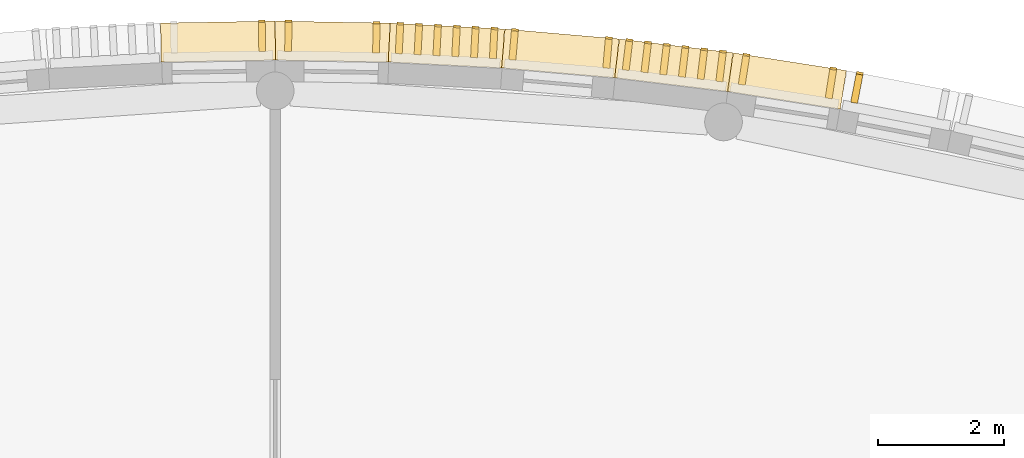
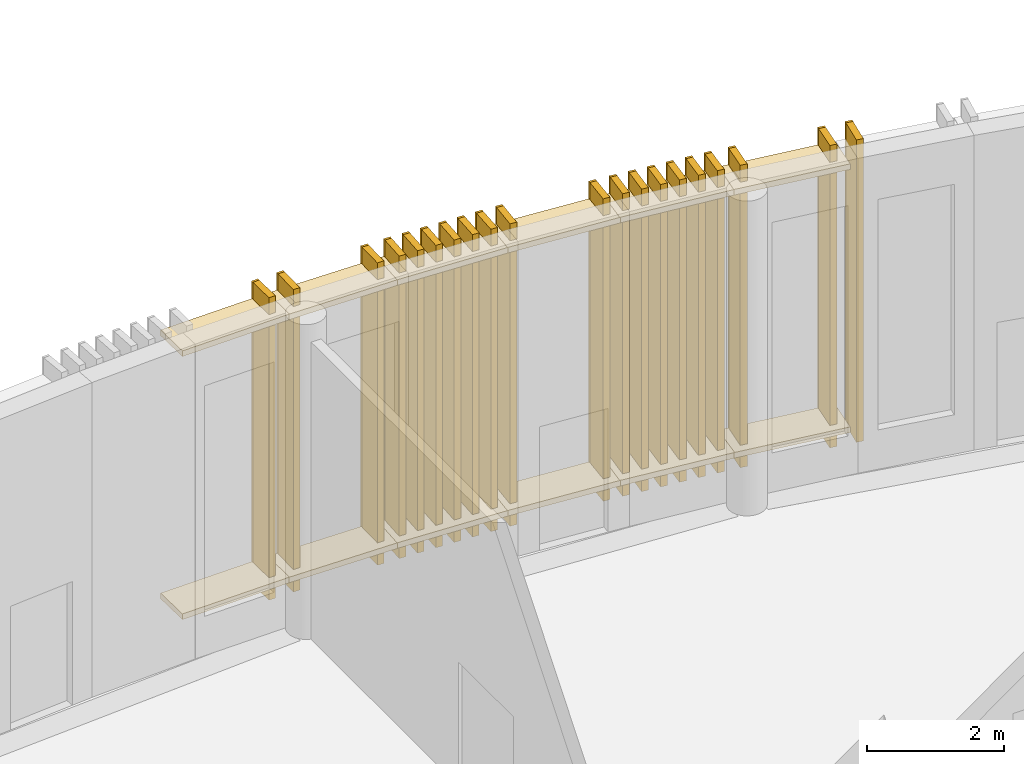
# One storey, part 77 of 85: 32 coverings, 20 shading devices.
"""IFC4 building model written with IfcOpenShell, lengths in metres."""

from ifc_helpers import new_model, si_unit, direction, frame, origin, origin_2d, place, context, subcontext, project, spatial, rectangle, extrude, material, layer, layer_set, type_object, element, save


model = new_model("IFC4")

# Units and contexts
model_context = context("Model", 3, precision=1e-05, world=origin(), true_north=direction((0.0, 1.0)))
body_context = subcontext(model_context, "Body", "Model", "MODEL_VIEW")
ifc_project = project(units=[si_unit("LENGTHUNIT", "METRE"), si_unit("AREAUNIT", "SQUARE_METRE"), si_unit("VOLUMEUNIT", "CUBIC_METRE"), si_unit("PLANEANGLEUNIT", "RADIAN"), si_unit("MASSUNIT", "GRAM", prefix="KILO")], contexts=[model_context])

# Site, building, storey
site_placement = place(None, origin())
site = spatial("IfcSite", under=ifc_project, at=site_placement, CompositionType="ELEMENT")
building_placement = place(site_placement, origin())
building = spatial("IfcBuilding", under=site, at=building_placement, Name="Sardonyx Promenade Sports Hall", CompositionType="ELEMENT")
storey_placement = place(building_placement, origin())
storey = spatial("IfcBuildingStorey", under=building, at=storey_placement, Name="L00", CompositionType="ELEMENT", Elevation=0.0)

# Coverings
ifc_material_1 = material(Name="Glulam GL28h", Category="wood")
ifc_layer = layer(ifc_material_1, 0.110107421875)
ifc_layer_set = layer_set([ifc_layer], Name="Cov_Louvre_GL28h")
covering_type = type_object("IfcCoveringType", Name="Cov_Louvre_GL28h", PredefinedType="MOLDING", material=ifc_layer_set)
for number, where, z_axis, x_axis, name in (
    (1, (53.091796875, 115.664306640625, 0.5), (0.0, 0.0, 1.0), (0.999850212862, 0.01730756599, 0.0), "Bowed louvre carrier rail L00 CH14 #1"),
    (2, (53.091796875, 115.664306640625, 5.179931640625), (0.0, 0.0, 1.0), (0.999850212862, 0.01730756599, 0.0), "Bowed louvre carrier rail L00 CH14 #2"),
):
    element("IfcCovering", number, at=place(storey_placement, frame(where, z_axis=z_axis, x_axis=x_axis)), inside=storey, type_object=covering_type, Name=name, PredefinedType="MOLDING", context=body_context, shape_type="SweptSolid", body=[
        extrude(rectangle(XDim=1.820068359375, YDim=0.6201171875, at=origin_2d()), origin(), (0.0, 0.0, 1.0), 0.10009765625),
    ])
covering_placement = place(storey_placement, frame((53.786376953125, 115.986328125, 0.199951171875), z_axis=(0.0, 0.0, 1.0), x_axis=(0.999850212862, 0.01730756599, 0.0)))
element("IfcCovering", 3, at=covering_placement, inside=storey, type_object=covering_type, Name="Timber louvre nose molding L00 CH14 #2", PredefinedType="MOLDING", context=body_context, shape_type="SweptSolid", body=[
    extrude(rectangle(XDim=0.110107421875, YDim=0.0400390625, at=origin_2d()), origin(), (0.0, 0.0, 1.0), 5.3798828125),
])
for number, where, z_axis, x_axis, name in (
    (4, (54.908203125, 115.664306640625, 0.5), (0.0, 0.0, 1.0), (0.999850212862, -0.01730756599, 0.0), "Bowed louvre carrier rail L00 CH15 #1"),
    (5, (54.908203125, 115.664306640625, 5.179931640625), (0.0, 0.0, 1.0), (0.999850212862, -0.01730756599, 0.0), "Bowed louvre carrier rail L00 CH15 #2"),
):
    element("IfcCovering", number, at=place(storey_placement, frame(where, z_axis=z_axis, x_axis=x_axis)), inside=storey, type_object=covering_type, Name=name, PredefinedType="MOLDING", context=body_context, shape_type="SweptSolid", body=[
        extrude(rectangle(XDim=1.820068359375, YDim=0.6201171875, at=origin_2d()), origin(), (0.0, 0.0, 1.0), 0.10009765625),
    ])
for number, where, z_axis, x_axis, name in (
    (6, (54.213623046875, 115.986328125, 0.199951171875), (0.0, 0.0, 1.0), (0.999850212862, -0.01730756599, 0.0), "Timber louvre nose molding L00 CH15 #1"),
    (7, (55.613525390625, 115.962158203125, 0.199951171875), (0.0, 0.0, 1.0), (0.999850212862, -0.01730756599, 0.0), "Timber louvre nose molding L00 CH15 #2"),
):
    element("IfcCovering", number, at=place(storey_placement, frame(where, z_axis=z_axis, x_axis=x_axis)), inside=storey, type_object=covering_type, Name=name, PredefinedType="MOLDING", context=body_context, shape_type="SweptSolid", body=[
        extrude(rectangle(XDim=0.110107421875, YDim=0.0400390625, at=origin_2d()), origin(), (0.0, 0.0, 1.0), 5.3798828125),
    ])
for number, where, z_axis, x_axis, name in (
    (8, (56.723388671875, 115.6015625, 0.5), (0.0, 0.0, 1.0), (0.998652184976, -0.051901959917, 0.0), "Bowed louvre carrier rail L00 CH16 #1"),
    (9, (56.723388671875, 115.6015625, 5.179931640625), (0.0, 0.0, 1.0), (0.998652184976, -0.051901959917, 0.0), "Bowed louvre carrier rail L00 CH16 #2"),
):
    element("IfcCovering", number, at=place(storey_placement, frame(where, z_axis=z_axis, x_axis=x_axis)), inside=storey, type_object=covering_type, Name=name, PredefinedType="MOLDING", context=body_context, shape_type="SweptSolid", body=[
        extrude(rectangle(XDim=1.820068359375, YDim=0.6201171875, at=origin_2d()), origin(), (0.0, 0.0, 1.0), 0.10009765625),
    ])
for number, where, z_axis, x_axis, name in (
    (10, (55.990478515625, 115.949951171875, 0.199951171875), (0.0, 0.0, 1.0), (0.998652184976, -0.051901959917, 0.0), "Timber louvre nose molding L00 CH16 #1"),
    (11, (56.2900390625, 115.934326171875, 0.199951171875), (0.0, 0.0, 1.0), (0.998652184976, -0.051901959917, 0.0), "Timber louvre nose molding L00 CH16 #2"),
    (12, (56.58984375, 115.9189453125, 0.199951171875), (0.0, 0.0, 1.0), (0.998652184976, -0.051901959917, 0.0), "Timber louvre nose molding L00 CH16 #3"),
    (13, (56.889404296875, 115.9033203125, 0.199951171875), (0.0, 0.0, 1.0), (0.998652184976, -0.051901959917, 0.0), "Timber louvre nose molding L00 CH16 #4"),
    (14, (57.18896484375, 115.8876953125, 0.199951171875), (0.0, 0.0, 1.0), (0.998652184976, -0.051901959917, 0.0), "Timber louvre nose molding L00 CH16 #5"),
    (15, (57.488525390625, 115.8720703125, 0.199951171875), (0.0, 0.0, 1.0), (0.998652184976, -0.051901959917, 0.0), "Timber louvre nose molding L00 CH16 #6"),
):
    element("IfcCovering", number, at=place(storey_placement, frame(where, z_axis=z_axis, x_axis=x_axis)), inside=storey, type_object=covering_type, Name=name, PredefinedType="MOLDING", context=body_context, shape_type="SweptSolid", body=[
        extrude(rectangle(XDim=0.110107421875, YDim=0.0400390625, at=origin_2d()), origin(), (0.0, 0.0, 1.0), 5.3798828125),
    ])
for number, where, z_axis, x_axis, name in (
    (16, (58.535400390625, 115.475830078125, 0.5), (0.0, 0.0, 1.0), (0.99625756469, -0.086434164533, 0.0), "Bowed louvre carrier rail L00 CH17 #1"),
    (17, (58.535400390625, 115.475830078125, 5.179931640625), (0.0, 0.0, 1.0), (0.99625756469, -0.086434164533, 0.0), "Bowed louvre carrier rail L00 CH17 #2"),
):
    element("IfcCovering", number, at=place(storey_placement, frame(where, z_axis=z_axis, x_axis=x_axis)), inside=storey, type_object=covering_type, Name=name, PredefinedType="MOLDING", context=body_context, shape_type="SweptSolid", body=[
        extrude(rectangle(XDim=1.820068359375, YDim=0.6201171875, at=origin_2d()), origin(), (0.0, 0.0, 1.0), 0.10009765625),
    ])
for number, where, z_axis, x_axis, name in (
    (18, (57.81494140625, 115.849609375, 0.199951171875), (0.0, 0.0, 1.0), (0.99625756469, -0.086434164533, 0.0), "Timber louvre nose molding L00 CH17 #1"),
    (19, (59.309326171875, 115.7197265625, 0.199951171875), (0.0, 0.0, 1.0), (0.99625756469, -0.086434164533, 0.0), "Timber louvre nose molding L00 CH17 #6"),
):
    element("IfcCovering", number, at=place(storey_placement, frame(where, z_axis=z_axis, x_axis=x_axis)), inside=storey, type_object=covering_type, Name=name, PredefinedType="MOLDING", context=body_context, shape_type="SweptSolid", body=[
        extrude(rectangle(XDim=0.110107421875, YDim=0.0400390625, at=origin_2d()), origin(), (0.0, 0.0, 1.0), 5.3798828125),
    ])
for number, where, z_axis, x_axis, name in (
    (20, (60.342041015625, 115.28759765625, 0.5), (0.0, 0.0, 1.0), (0.992669221255, -0.120862803098, 0.0), "Bowed louvre carrier rail L00 CH18 #1"),
    (21, (60.342041015625, 115.28759765625, 5.179931640625), (0.0, 0.0, 1.0), (0.992669221255, -0.120862803098, 0.0), "Bowed louvre carrier rail L00 CH18 #2"),
):
    element("IfcCovering", number, at=place(storey_placement, frame(where, z_axis=z_axis, x_axis=x_axis)), inside=storey, type_object=covering_type, Name=name, PredefinedType="MOLDING", context=body_context, shape_type="SweptSolid", body=[
        extrude(rectangle(XDim=1.820068359375, YDim=0.6201171875, at=origin_2d()), origin(), (0.0, 0.0, 1.0), 0.10009765625),
    ])
for number, where, z_axis, x_axis, name in (
    (22, (59.635009765625, 115.68603515625, 0.199951171875), (0.0, 0.0, 1.0), (0.992669221255, -0.120862803098, 0.0), "Timber louvre nose molding L00 CH18 #1"),
    (23, (59.932861328125, 115.649658203125, 0.199951171875), (0.0, 0.0, 1.0), (0.992669221255, -0.120862803098, 0.0), "Timber louvre nose molding L00 CH18 #2"),
    (24, (60.23046875, 115.61328125, 0.199951171875), (0.0, 0.0, 1.0), (0.992669221255, -0.120862803098, 0.0), "Timber louvre nose molding L00 CH18 #3"),
    (25, (60.5283203125, 115.5771484375, 0.199951171875), (0.0, 0.0, 1.0), (0.992669221255, -0.120862803098, 0.0), "Timber louvre nose molding L00 CH18 #4"),
    (26, (60.826171875, 115.540771484375, 0.199951171875), (0.0, 0.0, 1.0), (0.992669221255, -0.120862803098, 0.0), "Timber louvre nose molding L00 CH18 #5"),
    (27, (61.1240234375, 115.504638671875, 0.199951171875), (0.0, 0.0, 1.0), (0.992669221255, -0.120862803098, 0.0), "Timber louvre nose molding L00 CH18 #6"),
):
    element("IfcCovering", number, at=place(storey_placement, frame(where, z_axis=z_axis, x_axis=x_axis)), inside=storey, type_object=covering_type, Name=name, PredefinedType="MOLDING", context=body_context, shape_type="SweptSolid", body=[
        extrude(rectangle(XDim=0.110107421875, YDim=0.0400390625, at=origin_2d()), origin(), (0.0, 0.0, 1.0), 5.3798828125),
    ])
for number, where, z_axis, x_axis, name in (
    (28, (62.140869140625, 115.036865234375, 0.5), (0.0, 0.0, 1.0), (0.987891183468, -0.155148347157, 0.0), "Bowed louvre carrier rail L00 CH19 #1"),
    (29, (62.140869140625, 115.036865234375, 5.179931640625), (0.0, 0.0, 1.0), (0.987891183468, -0.155148347157, 0.0), "Bowed louvre carrier rail L00 CH19 #2"),
):
    element("IfcCovering", number, at=place(storey_placement, frame(where, z_axis=z_axis, x_axis=x_axis)), inside=storey, type_object=covering_type, Name=name, PredefinedType="MOLDING", context=body_context, shape_type="SweptSolid", body=[
        extrude(rectangle(XDim=1.820068359375, YDim=0.6201171875, at=origin_2d()), origin(), (0.0, 0.0, 1.0), 0.10009765625),
    ])
for number, where, z_axis, x_axis, name in (
    (30, (61.49755859375, 115.45166015625, 0.199951171875), (0.0, 0.0, 1.0), (0.987891183468, -0.155148347157, 0.0), "Timber louvre nose molding L00 CH19 #1"),
    (31, (62.880615234375, 115.234375, 0.199951171875), (0.0, 0.0, 1.0), (0.987891183468, -0.155148347157, 0.0), "Timber louvre nose molding L00 CH19 #2"),
    (32, (63.301513671875, 115.160888671875, 0.199951171875), (0.0, 0.0, 1.0), (0.981929658139, -0.18924625879, 0.0), "Timber louvre nose molding L00 CH20 #1"),
):
    element("IfcCovering", number, at=place(storey_placement, frame(where, z_axis=z_axis, x_axis=x_axis)), inside=storey, type_object=covering_type, Name=name, PredefinedType="MOLDING", context=body_context, shape_type="SweptSolid", body=[
        extrude(rectangle(XDim=0.110107421875, YDim=0.0400390625, at=origin_2d()), origin(), (0.0, 0.0, 1.0), 5.3798828125),
    ])

# Shading devices
ifc_material_2 = material(Name="Glulam GL28h", Category="wood")
shading_device_type_1 = type_object("IfcShadingDeviceType", Name="Shade_Fin_GL28h", PredefinedType="USERDEFINED", material=ifc_material_2)
for number, where, z_axis, x_axis, name in (
    (33, (53.790684, 115.736458, 0.2), (0.0, 0.0, 1.0), (0.99985021, 0.01730757, 0.0), "Timber fin TF01 L00 CH14 #2"),
    (34, (54.209316, 115.736458, 0.2), (0.0, 0.0, 1.0), (0.99985021, -0.01730757, 0.0), "Timber fin TF01 L00 CH15 #1"),
    (35, (55.609107, 115.712227, 0.2), (0.0, 0.0, 1.0), (0.99985021, -0.01730757, 0.0), "Timber fin TF01 L00 CH15 #2"),
    (36, (61.45873, 115.204717, 0.2), (0.0, 0.0, 1.0), (0.98789118, -0.15514835, 0.0), "Timber fin TF01 L00 CH19 #1"),
    (37, (62.841778, 114.98751, 0.2), (0.0, 0.0, 1.0), (0.98789118, -0.15514835, 0.0), "Timber fin TF01 L00 CH19 #2"),
    (38, (63.254156, 114.915412, 0.2), (0.0, 0.0, 1.0), (0.98192966, -0.18924626, 0.0), "Timber fin TF01 L00 CH20 #1"),
):
    element("IfcShadingDevice", number, at=place(storey_placement, frame(where, z_axis=z_axis, x_axis=x_axis)), inside=storey, type_object=shading_device_type_1, material=ifc_material_2, Name=name, ObjectType="FIN", PredefinedType="USERDEFINED", context=body_context, shape_type="SweptSolid", body=[
        extrude(rectangle(XDim=0.11, YDim=0.46), origin(), (0.0, 0.0, 1.0), 5.38),
    ])
shading_device_type_2 = type_object("IfcShadingDeviceType", Name="Shade_Louvre_GL28h", PredefinedType="USERDEFINED", material=ifc_material_2)
for number, where, z_axis, x_axis, name in (
    (39, (55.977555, 115.700333, 0.2), (0.0, 0.0, 1.0), (0.99865218, -0.05190196, 0.0), "Timber louvre TL01 L00 CH16 #1"),
    (40, (56.277151, 115.684762, 0.2), (0.0, 0.0, 1.0), (0.99865218, -0.05190196, 0.0), "Timber louvre TL01 L00 CH16 #2"),
    (41, (56.576746, 115.669192, 0.2), (0.0, 0.0, 1.0), (0.99865218, -0.05190196, 0.0), "Timber louvre TL01 L00 CH16 #3"),
    (42, (56.876342, 115.653621, 0.2), (0.0, 0.0, 1.0), (0.99865218, -0.05190196, 0.0), "Timber louvre TL01 L00 CH16 #4"),
    (43, (57.175938, 115.63805, 0.2), (0.0, 0.0, 1.0), (0.99865218, -0.05190196, 0.0), "Timber louvre TL01 L00 CH16 #5"),
    (44, (57.475533, 115.62248, 0.2), (0.0, 0.0, 1.0), (0.99865218, -0.05190196, 0.0), "Timber louvre TL01 L00 CH16 #6"),
    (45, (57.793418, 115.600436, 0.2), (0.0, 0.0, 1.0), (0.99625756, -0.08643416, 0.0), "Timber louvre TL01 L00 CH17 #1"),
    (46, (59.287804, 115.470783, 0.2), (0.0, 0.0, 1.0), (0.99625756, -0.08643416, 0.0), "Timber louvre TL01 L00 CH17 #6"),
    (47, (59.604735, 115.437751, 0.2), (0.0, 0.0, 1.0), (0.99266922, -0.1208628, 0.0), "Timber louvre TL01 L00 CH18 #1"),
    (48, (59.902535, 115.401492, 0.2), (0.0, 0.0, 1.0), (0.99266922, -0.1208628, 0.0), "Timber louvre TL01 L00 CH18 #2"),
    (49, (60.200336, 115.365233, 0.2), (0.0, 0.0, 1.0), (0.99266922, -0.1208628, 0.0), "Timber louvre TL01 L00 CH18 #3"),
    (50, (60.498137, 115.328974, 0.2), (0.0, 0.0, 1.0), (0.99266922, -0.1208628, 0.0), "Timber louvre TL01 L00 CH18 #4"),
    (51, (60.795938, 115.292715, 0.2), (0.0, 0.0, 1.0), (0.99266922, -0.1208628, 0.0), "Timber louvre TL01 L00 CH18 #5"),
    (52, (61.093738, 115.256456, 0.2), (0.0, 0.0, 1.0), (0.99266922, -0.1208628, 0.0), "Timber louvre TL01 L00 CH18 #6"),
):
    element("IfcShadingDevice", number, at=place(storey_placement, frame(where, z_axis=z_axis, x_axis=x_axis)), inside=storey, type_object=shading_device_type_2, material=ifc_material_2, Name=name, ObjectType="LOUVRE", PredefinedType="USERDEFINED", context=body_context, shape_type="SweptSolid", body=[
        extrude(rectangle(XDim=0.11, YDim=0.46), origin(), (0.0, 0.0, 1.0), 5.38),
    ])

save(model, "model.ifc")
